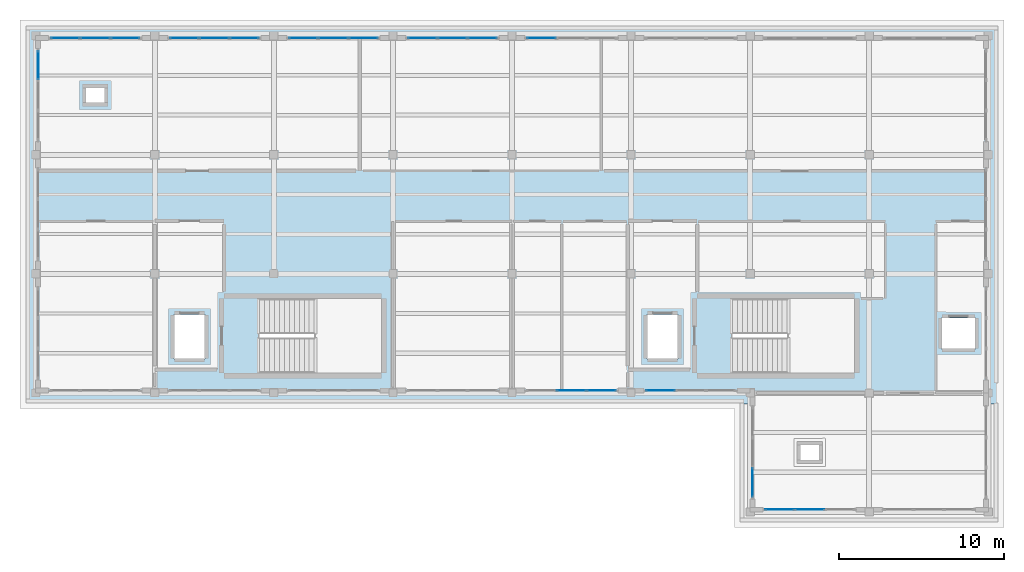
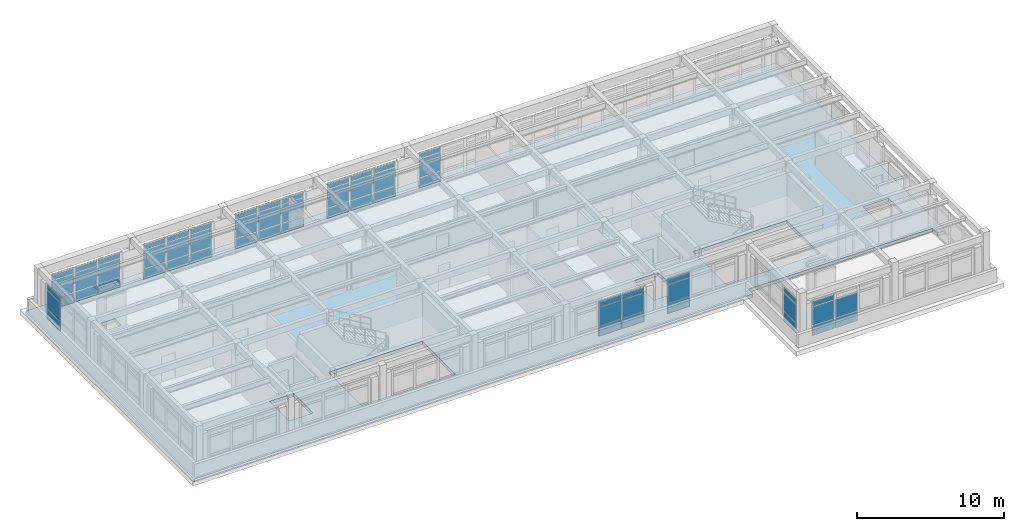
# One storey, part 11 of 18: 59 plates, 1 slab, 10 elements without a shape of their own.
"""IFC4 building model written with IfcOpenShell, lengths in metres."""

from ifc_helpers import new_model, si_unit, direction, frame, origin, origin_2d, place, context, subcontext, project, spatial, polyline, rectangle, outline, extrude, material, layer, layer_set, type_object, element, aggregate, save


model = new_model("IFC4")

# Units and contexts
model_context = context("Model", 3, precision=1e-05, world=origin(), true_north=direction((0.0, 1.0)))
body_context = subcontext(model_context, "Body", "Model", "MODEL_VIEW")
ifc_project = project(units=[si_unit("LENGTHUNIT", "METRE"), si_unit("AREAUNIT", "SQUARE_METRE"), si_unit("VOLUMEUNIT", "CUBIC_METRE"), si_unit("PLANEANGLEUNIT", "RADIAN"), si_unit("MASSUNIT", "GRAM", prefix="KILO")], contexts=[model_context])

# Site, building, storey
site_placement = place(None, origin())
site = spatial("IfcSite", under=ifc_project, at=site_placement, CompositionType="ELEMENT")
building_placement = place(site_placement, origin())
building = spatial("IfcBuilding", under=site, at=building_placement, Name="Solenvale Faculty of Natural Sciences", CompositionType="ELEMENT")
storey_placement = place(building_placement, frame((0.0, 0.0, 43.800048828125)))
storey = spatial("IfcBuildingStorey", under=building, at=storey_placement, Name="L10", CompositionType="ELEMENT", Elevation=43.800048828125)

# Curtain wall, plates
ifc_material_1 = material(Name="Anodised bronze aluminium", Category="aluminium")
ifc_layer_1 = layer(ifc_material_1, 0.179931640625)
ifc_layer_set_1 = layer_set([ifc_layer_1], Name="Anodised bronze aluminium")
curtain_wall_type = type_object("IfcCurtainWallType", Name="CW-TWR-MOD", PredefinedType="USERDEFINED", material=ifc_layer_set_1)
curtain_wall_1_placement = place(storey_placement, origin())
curtain_wall_1 = element("IfcCurtainWall", 1, at=curtain_wall_1_placement, inside=storey, type_object=curtain_wall_type, Name="L10 Curtain Wall CW-L10-P1-E2-B4", ObjectType="UNITISED CURTAIN WALL", PredefinedType="USERDEFINED")
ifc_material_2 = material(Name="Triple low-E insulated glass", Category="glass")
ifc_layer_2 = layer(ifc_material_2, 0.031982421875)
ifc_layer_set_2 = layer_set([ifc_layer_2], Name="Triple low-E insulated glass")
plate_type_1 = type_object("IfcPlateType", Name="CWP-PNL-32", PredefinedType="CURTAIN_PANEL", material=ifc_layer_set_2)
plate_1_placement = place(storey_placement, frame((124.185302734375, 115.0576171875, 0.074951171875), z_axis=(0.0, 0.0, 1.0), x_axis=(-1.0, 0.0, 0.0)))
plate_1 = element("IfcPlate", 2, at=plate_1_placement, type_object=plate_type_1, Name="CW-04 panel 3.1", PredefinedType="CURTAIN_PANEL", context=body_context, shape_type="SweptSolid", body=[
    extrude(rectangle(XDim=1.720947265625, YDim=0.031982421875, at=origin_2d()), origin(), (0.0, 0.0, 1.0), 0.78759765625),
])
plate_2_placement = place(storey_placement, frame((124.185302734375, 115.0576171875, 0.9375), z_axis=(0.0, 0.0, 1.0), x_axis=(-1.0, 0.0, 0.0)))
plate_2 = element("IfcPlate", 3, at=plate_2_placement, type_object=plate_type_1, Name="CW-04 panel 3.2", PredefinedType="CURTAIN_PANEL", context=body_context, shape_type="SweptSolid", body=[
    extrude(rectangle(XDim=1.720947265625, YDim=0.031982421875, at=origin_2d()), origin(), (0.0, 0.0, 1.0), 1.485107421875),
])
plate_3_placement = place(storey_placement, frame((124.185302734375, 115.0576171875, 2.49755859375), z_axis=(0.0, 0.0, 1.0), x_axis=(-1.0, 0.0, 0.0)))
plate_3 = element("IfcPlate", 4, at=plate_3_placement, type_object=plate_type_1, Name="CW-04 panel 3.3", PredefinedType="CURTAIN_PANEL", context=body_context, shape_type="SweptSolid", body=[
    extrude(rectangle(XDim=1.720947265625, YDim=0.031982421875, at=origin_2d()), origin(), (0.0, 0.0, 1.0), 0.387451171875),
])
aggregate(curtain_wall_1, [plate_1, plate_2, plate_3])

curtain_wall_2_placement = place(storey_placement, origin())
curtain_wall_2 = element("IfcCurtainWall", 5, at=curtain_wall_2_placement, inside=storey, type_object=curtain_wall_type, Name="L10 Curtain Wall CW-L10-P1-E5-B1", ObjectType="UNITISED CURTAIN WALL", PredefinedType="USERDEFINED")
plate_4_placement = place(storey_placement, frame((136.9423828125, 88.185302734375, 0.074951171875), z_axis=(0.0, 0.0, 1.0), x_axis=(0.0, -1.0, 0.0)))
plate_4 = element("IfcPlate", 6, at=plate_4_placement, type_object=plate_type_1, Name="CW-04 panel 3.1", PredefinedType="CURTAIN_PANEL", context=body_context, shape_type="SweptSolid", body=[
    extrude(rectangle(XDim=1.720947265625, YDim=0.031982421875, at=origin_2d()), origin(), (0.0, 0.0, 1.0), 0.78759765625),
])
plate_5_placement = place(storey_placement, frame((136.9423828125, 88.185302734375, 0.9375), z_axis=(0.0, 0.0, 1.0), x_axis=(0.0, -1.0, 0.0)))
plate_5 = element("IfcPlate", 7, at=plate_5_placement, type_object=plate_type_1, Name="CW-04 panel 3.2", PredefinedType="CURTAIN_PANEL", context=body_context, shape_type="SweptSolid", body=[
    extrude(rectangle(XDim=1.720947265625, YDim=0.031982421875, at=origin_2d()), origin(), (0.0, 0.0, 1.0), 1.485107421875),
])
plate_6_placement = place(storey_placement, frame((136.9423828125, 88.185302734375, 2.49755859375), z_axis=(0.0, 0.0, 1.0), x_axis=(0.0, -1.0, 0.0)))
plate_6 = element("IfcPlate", 8, at=plate_6_placement, type_object=plate_type_1, Name="CW-04 panel 3.3", PredefinedType="CURTAIN_PANEL", context=body_context, shape_type="SweptSolid", body=[
    extrude(rectangle(XDim=1.720947265625, YDim=0.031982421875, at=origin_2d()), origin(), (0.0, 0.0, 1.0), 0.387451171875),
])
aggregate(curtain_wall_2, [plate_4, plate_5, plate_6])

curtain_wall_3_placement = place(storey_placement, origin())
curtain_wall_3 = element("IfcCurtainWall", 9, at=curtain_wall_3_placement, inside=storey, type_object=curtain_wall_type, Name="L10 Curtain Wall CW-L10-P1-E2-B5", ObjectType="UNITISED CURTAIN WALL", PredefinedType="USERDEFINED")
ifc_layer_3 = layer(ifc_material_2, 0.035888671875)
ifc_layer_set_3 = layer_set([ifc_layer_3], Name="Triple low-E insulated glass")
plate_type_2 = type_object("IfcPlateType", Name="CWP-PNL-36", PredefinedType="CURTAIN_PANEL", material=ifc_layer_set_3)
plate_7_placement = place(storey_placement, frame((120.614501953125, 115.0576171875, 0.074951171875), z_axis=(0.0, 0.0, 1.0), x_axis=(-1.0, 0.0, 0.0)))
plate_7 = element("IfcPlate", 10, at=plate_7_placement, type_object=plate_type_2, Name="CW-04 panel 1.1", PredefinedType="CURTAIN_PANEL", context=body_context, shape_type="SweptSolid", body=[
    extrude(rectangle(XDim=1.720947265625, YDim=0.035888671875, at=origin_2d()), origin(), (0.0, 0.0, 1.0), 0.78759765625),
])
plate_8_placement = place(storey_placement, frame((120.614501953125, 115.0576171875, 0.9375), z_axis=(0.0, 0.0, 1.0), x_axis=(-1.0, 0.0, 0.0)))
plate_8 = element("IfcPlate", 11, at=plate_8_placement, type_object=plate_type_2, Name="CW-04 panel 1.2", PredefinedType="CURTAIN_PANEL", context=body_context, shape_type="SweptSolid", body=[
    extrude(rectangle(XDim=1.720947265625, YDim=0.035888671875, at=origin_2d()), origin(), (0.0, 0.0, 1.0), 1.485107421875),
])
plate_9_placement = place(storey_placement, frame((120.614501953125, 115.0576171875, 2.49755859375), z_axis=(0.0, 0.0, 1.0), x_axis=(-1.0, 0.0, 0.0)))
plate_9 = element("IfcPlate", 12, at=plate_9_placement, type_object=plate_type_2, Name="CW-04 panel 1.3", PredefinedType="CURTAIN_PANEL", context=body_context, shape_type="SweptSolid", body=[
    extrude(rectangle(XDim=1.720947265625, YDim=0.035888671875, at=origin_2d()), origin(), (0.0, 0.0, 1.0), 0.387451171875),
])
plate_10_placement = place(storey_placement, frame((118.800048828125, 115.0576171875, 0.074951171875), z_axis=(0.0, 0.0, 1.0), x_axis=(-1.0, 0.0, 0.0)))
plate_10 = element("IfcPlate", 13, at=plate_10_placement, type_object=plate_type_2, Name="CW-04 panel 2.1", PredefinedType="CURTAIN_PANEL", context=body_context, shape_type="SweptSolid", body=[
    extrude(rectangle(XDim=1.75830078125, YDim=0.035888671875, at=origin_2d()), origin(), (0.0, 0.0, 1.0), 0.78759765625),
])
plate_11_placement = place(storey_placement, frame((118.800048828125, 115.0576171875, 0.9375), z_axis=(0.0, 0.0, 1.0), x_axis=(-1.0, 0.0, 0.0)))
plate_11 = element("IfcPlate", 14, at=plate_11_placement, type_object=plate_type_2, Name="CW-04 panel 2.2", PredefinedType="CURTAIN_PANEL", context=body_context, shape_type="SweptSolid", body=[
    extrude(rectangle(XDim=1.75830078125, YDim=0.035888671875, at=origin_2d()), origin(), (0.0, 0.0, 1.0), 1.485107421875),
])
plate_12_placement = place(storey_placement, frame((118.800048828125, 115.0576171875, 2.49755859375), z_axis=(0.0, 0.0, 1.0), x_axis=(-1.0, 0.0, 0.0)))
plate_12 = element("IfcPlate", 15, at=plate_12_placement, type_object=plate_type_2, Name="CW-04 panel 2.3", PredefinedType="CURTAIN_PANEL", context=body_context, shape_type="SweptSolid", body=[
    extrude(rectangle(XDim=1.75830078125, YDim=0.035888671875, at=origin_2d()), origin(), (0.0, 0.0, 1.0), 0.387451171875),
])
plate_13_placement = place(storey_placement, frame((116.9853515625, 115.0576171875, 0.074951171875), z_axis=(0.0, 0.0, 1.0), x_axis=(-1.0, 0.0, 0.0)))
plate_13 = element("IfcPlate", 16, at=plate_13_placement, type_object=plate_type_2, Name="CW-04 panel 3.1", PredefinedType="CURTAIN_PANEL", context=body_context, shape_type="SweptSolid", body=[
    extrude(rectangle(XDim=1.720947265625, YDim=0.035888671875, at=origin_2d()), origin(), (0.0, 0.0, 1.0), 0.78759765625),
])
plate_14_placement = place(storey_placement, frame((116.9853515625, 115.0576171875, 0.9375), z_axis=(0.0, 0.0, 1.0), x_axis=(-1.0, 0.0, 0.0)))
plate_14 = element("IfcPlate", 17, at=plate_14_placement, type_object=plate_type_2, Name="CW-04 panel 3.2", PredefinedType="CURTAIN_PANEL", context=body_context, shape_type="SweptSolid", body=[
    extrude(rectangle(XDim=1.720947265625, YDim=0.035888671875, at=origin_2d()), origin(), (0.0, 0.0, 1.0), 1.485107421875),
])
plate_15_placement = place(storey_placement, frame((116.9853515625, 115.0576171875, 2.49755859375), z_axis=(0.0, 0.0, 1.0), x_axis=(-1.0, 0.0, 0.0)))
plate_15 = element("IfcPlate", 18, at=plate_15_placement, type_object=plate_type_2, Name="CW-04 panel 3.3", PredefinedType="CURTAIN_PANEL", context=body_context, shape_type="SweptSolid", body=[
    extrude(rectangle(XDim=1.720947265625, YDim=0.035888671875, at=origin_2d()), origin(), (0.0, 0.0, 1.0), 0.387451171875),
])
aggregate(curtain_wall_3, [plate_7, plate_8, plate_9, plate_10, plate_11, plate_12, plate_13, plate_14, plate_15])

curtain_wall_4_placement = place(storey_placement, origin())
curtain_wall_4 = element("IfcCurtainWall", 19, at=curtain_wall_4_placement, inside=storey, type_object=curtain_wall_type, Name="L10 Curtain Wall CW-L10-P1-E6-B1", ObjectType="UNITISED CURTAIN WALL", PredefinedType="USERDEFINED")
plate_16_placement = place(storey_placement, frame((138.58544921875, 86.54248046875, 0.074951171875), z_axis=(0.0, 0.0, 1.0), x_axis=(1.0, 0.0, 0.0)))
plate_16 = element("IfcPlate", 20, at=plate_16_placement, type_object=plate_type_2, Name="CW-04 panel 1.1", PredefinedType="CURTAIN_PANEL", context=body_context, shape_type="SweptSolid", body=[
    extrude(rectangle(XDim=1.720947265625, YDim=0.035888671875, at=origin_2d()), origin(), (0.0, 0.0, 1.0), 0.78759765625),
])
plate_17_placement = place(storey_placement, frame((138.58544921875, 86.54248046875, 0.9375), z_axis=(0.0, 0.0, 1.0), x_axis=(1.0, 0.0, 0.0)))
plate_17 = element("IfcPlate", 21, at=plate_17_placement, type_object=plate_type_2, Name="CW-04 panel 1.2", PredefinedType="CURTAIN_PANEL", context=body_context, shape_type="SweptSolid", body=[
    extrude(rectangle(XDim=1.720947265625, YDim=0.035888671875, at=origin_2d()), origin(), (0.0, 0.0, 1.0), 1.485107421875),
])
plate_18_placement = place(storey_placement, frame((138.58544921875, 86.54248046875, 2.49755859375), z_axis=(0.0, 0.0, 1.0), x_axis=(1.0, 0.0, 0.0)))
plate_18 = element("IfcPlate", 22, at=plate_18_placement, type_object=plate_type_2, Name="CW-04 panel 1.3", PredefinedType="CURTAIN_PANEL", context=body_context, shape_type="SweptSolid", body=[
    extrude(rectangle(XDim=1.720947265625, YDim=0.035888671875, at=origin_2d()), origin(), (0.0, 0.0, 1.0), 0.387451171875),
])
plate_19_placement = place(storey_placement, frame((140.39990234375, 86.54248046875, 0.074951171875), z_axis=(0.0, 0.0, 1.0), x_axis=(1.0, 0.0, 0.0)))
plate_19 = element("IfcPlate", 23, at=plate_19_placement, type_object=plate_type_2, Name="CW-04 panel 2.1", PredefinedType="CURTAIN_PANEL", context=body_context, shape_type="SweptSolid", body=[
    extrude(rectangle(XDim=1.75830078125, YDim=0.035888671875, at=origin_2d()), origin(), (0.0, 0.0, 1.0), 0.78759765625),
])
plate_20_placement = place(storey_placement, frame((140.39990234375, 86.54248046875, 0.9375), z_axis=(0.0, 0.0, 1.0), x_axis=(1.0, 0.0, 0.0)))
plate_20 = element("IfcPlate", 24, at=plate_20_placement, type_object=plate_type_2, Name="CW-04 panel 2.2", PredefinedType="CURTAIN_PANEL", context=body_context, shape_type="SweptSolid", body=[
    extrude(rectangle(XDim=1.75830078125, YDim=0.035888671875, at=origin_2d()), origin(), (0.0, 0.0, 1.0), 1.485107421875),
])
aggregate(curtain_wall_4, [plate_16, plate_17, plate_18, plate_19, plate_20])

curtain_wall_5_placement = place(storey_placement, origin())
curtain_wall_5 = element("IfcCurtainWall", 25, at=curtain_wall_5_placement, inside=storey, type_object=curtain_wall_type, Name="L10 Curtain Wall CW-L10-P1-E2-B6", ObjectType="UNITISED CURTAIN WALL", PredefinedType="USERDEFINED")
ifc_layer_4 = layer(ifc_material_2, 0.0400390625)
ifc_layer_set_4 = layer_set([ifc_layer_4], Name="Triple low-E insulated glass")
plate_type_3 = type_object("IfcPlateType", Name="CWP-PNL-40", PredefinedType="CURTAIN_PANEL", material=ifc_layer_set_4)
plate_21_placement = place(storey_placement, frame((113.41455078125, 115.0576171875, 0.074951171875), z_axis=(0.0, 0.0, 1.0), x_axis=(-1.0, 0.0, 0.0)))
plate_21 = element("IfcPlate", 26, at=plate_21_placement, type_object=plate_type_3, Name="CW-04 panel 1.1", PredefinedType="CURTAIN_PANEL", context=body_context, shape_type="SweptSolid", body=[
    extrude(rectangle(XDim=1.720947265625, YDim=0.0400390625, at=origin_2d()), origin(), (0.0, 0.0, 1.0), 0.78759765625),
])
plate_22_placement = place(storey_placement, frame((113.41455078125, 115.0576171875, 0.9375), z_axis=(0.0, 0.0, 1.0), x_axis=(-1.0, 0.0, 0.0)))
plate_22 = element("IfcPlate", 27, at=plate_22_placement, type_object=plate_type_3, Name="CW-04 panel 1.2", PredefinedType="CURTAIN_PANEL", context=body_context, shape_type="SweptSolid", body=[
    extrude(rectangle(XDim=1.720947265625, YDim=0.0400390625, at=origin_2d()), origin(), (0.0, 0.0, 1.0), 1.485107421875),
])
plate_23_placement = place(storey_placement, frame((113.41455078125, 115.0576171875, 2.49755859375), z_axis=(0.0, 0.0, 1.0), x_axis=(-1.0, 0.0, 0.0)))
plate_23 = element("IfcPlate", 28, at=plate_23_placement, type_object=plate_type_3, Name="CW-04 panel 1.3", PredefinedType="CURTAIN_PANEL", context=body_context, shape_type="SweptSolid", body=[
    extrude(rectangle(XDim=1.720947265625, YDim=0.0400390625, at=origin_2d()), origin(), (0.0, 0.0, 1.0), 0.387451171875),
])
plate_24_placement = place(storey_placement, frame((111.60009765625, 115.0576171875, 0.074951171875), z_axis=(0.0, 0.0, 1.0), x_axis=(-1.0, 0.0, 0.0)))
plate_24 = element("IfcPlate", 29, at=plate_24_placement, type_object=plate_type_3, Name="CW-04 panel 2.1", PredefinedType="CURTAIN_PANEL", context=body_context, shape_type="SweptSolid", body=[
    extrude(rectangle(XDim=1.75830078125, YDim=0.0400390625, at=origin_2d()), origin(), (0.0, 0.0, 1.0), 0.78759765625),
])
plate_25_placement = place(storey_placement, frame((111.60009765625, 115.0576171875, 0.9375), z_axis=(0.0, 0.0, 1.0), x_axis=(-1.0, 0.0, 0.0)))
plate_25 = element("IfcPlate", 30, at=plate_25_placement, type_object=plate_type_3, Name="CW-04 panel 2.2", PredefinedType="CURTAIN_PANEL", context=body_context, shape_type="SweptSolid", body=[
    extrude(rectangle(XDim=1.75830078125, YDim=0.0400390625, at=origin_2d()), origin(), (0.0, 0.0, 1.0), 1.485107421875),
])
plate_26_placement = place(storey_placement, frame((111.60009765625, 115.0576171875, 2.49755859375), z_axis=(0.0, 0.0, 1.0), x_axis=(-1.0, 0.0, 0.0)))
plate_26 = element("IfcPlate", 31, at=plate_26_placement, type_object=plate_type_3, Name="CW-04 panel 2.3", PredefinedType="CURTAIN_PANEL", context=body_context, shape_type="SweptSolid", body=[
    extrude(rectangle(XDim=1.75830078125, YDim=0.0400390625, at=origin_2d()), origin(), (0.0, 0.0, 1.0), 0.387451171875),
])
plate_27_placement = place(storey_placement, frame((109.785400390625, 115.0576171875, 0.074951171875), z_axis=(0.0, 0.0, 1.0), x_axis=(-1.0, 0.0, 0.0)))
plate_27 = element("IfcPlate", 32, at=plate_27_placement, type_object=plate_type_3, Name="CW-04 panel 3.1", PredefinedType="CURTAIN_PANEL", context=body_context, shape_type="SweptSolid", body=[
    extrude(rectangle(XDim=1.720947265625, YDim=0.0400390625, at=origin_2d()), origin(), (0.0, 0.0, 1.0), 0.78759765625),
])
plate_28_placement = place(storey_placement, frame((109.785400390625, 115.0576171875, 0.9375), z_axis=(0.0, 0.0, 1.0), x_axis=(-1.0, 0.0, 0.0)))
plate_28 = element("IfcPlate", 33, at=plate_28_placement, type_object=plate_type_3, Name="CW-04 panel 3.2", PredefinedType="CURTAIN_PANEL", context=body_context, shape_type="SweptSolid", body=[
    extrude(rectangle(XDim=1.720947265625, YDim=0.0400390625, at=origin_2d()), origin(), (0.0, 0.0, 1.0), 1.485107421875),
])
plate_29_placement = place(storey_placement, frame((109.785400390625, 115.0576171875, 2.49755859375), z_axis=(0.0, 0.0, 1.0), x_axis=(-1.0, 0.0, 0.0)))
plate_29 = element("IfcPlate", 34, at=plate_29_placement, type_object=plate_type_3, Name="CW-04 panel 3.3", PredefinedType="CURTAIN_PANEL", context=body_context, shape_type="SweptSolid", body=[
    extrude(rectangle(XDim=1.720947265625, YDim=0.0400390625, at=origin_2d()), origin(), (0.0, 0.0, 1.0), 0.387451171875),
])
aggregate(curtain_wall_5, [plate_21, plate_22, plate_23, plate_24, plate_25, plate_26, plate_27, plate_28, plate_29])

curtain_wall_6_placement = place(storey_placement, origin())
curtain_wall_6 = element("IfcCurtainWall", 35, at=curtain_wall_6_placement, inside=storey, type_object=curtain_wall_type, Name="L10 Curtain Wall CW-L10-P1-E2-B7", ObjectType="UNITISED CURTAIN WALL", PredefinedType="USERDEFINED")
ifc_layer_5 = layer(ifc_material_2, 0.0439453125)
ifc_layer_set_5 = layer_set([ifc_layer_5], Name="Triple low-E insulated glass")
plate_type_4 = type_object("IfcPlateType", Name="CWP-PNL-44", PredefinedType="CURTAIN_PANEL", material=ifc_layer_set_5)
plate_30_placement = place(storey_placement, frame((106.214599609375, 115.0576171875, 0.074951171875), z_axis=(0.0, 0.0, 1.0), x_axis=(-1.0, 0.0, 0.0)))
plate_30 = element("IfcPlate", 36, at=plate_30_placement, type_object=plate_type_4, Name="CW-04 panel 1.1", PredefinedType="CURTAIN_PANEL", context=body_context, shape_type="SweptSolid", body=[
    extrude(rectangle(XDim=1.720947265625, YDim=0.0439453125, at=origin_2d()), origin(), (0.0, 0.0, 1.0), 0.78759765625),
])
plate_31_placement = place(storey_placement, frame((106.214599609375, 115.0576171875, 0.9375), z_axis=(0.0, 0.0, 1.0), x_axis=(-1.0, 0.0, 0.0)))
plate_31 = element("IfcPlate", 37, at=plate_31_placement, type_object=plate_type_4, Name="CW-04 panel 1.2", PredefinedType="CURTAIN_PANEL", context=body_context, shape_type="SweptSolid", body=[
    extrude(rectangle(XDim=1.720947265625, YDim=0.0439453125, at=origin_2d()), origin(), (0.0, 0.0, 1.0), 1.485107421875),
])
plate_32_placement = place(storey_placement, frame((106.214599609375, 115.0576171875, 2.49755859375), z_axis=(0.0, 0.0, 1.0), x_axis=(-1.0, 0.0, 0.0)))
plate_32 = element("IfcPlate", 38, at=plate_32_placement, type_object=plate_type_4, Name="CW-04 panel 1.3", PredefinedType="CURTAIN_PANEL", context=body_context, shape_type="SweptSolid", body=[
    extrude(rectangle(XDim=1.720947265625, YDim=0.0439453125, at=origin_2d()), origin(), (0.0, 0.0, 1.0), 0.387451171875),
])
plate_33_placement = place(storey_placement, frame((104.39990234375, 115.0576171875, 0.074951171875), z_axis=(0.0, 0.0, 1.0), x_axis=(-1.0, 0.0, 0.0)))
plate_33 = element("IfcPlate", 39, at=plate_33_placement, type_object=plate_type_4, Name="CW-04 panel 2.1", PredefinedType="CURTAIN_PANEL", context=body_context, shape_type="SweptSolid", body=[
    extrude(rectangle(XDim=1.75830078125, YDim=0.0439453125, at=origin_2d()), origin(), (0.0, 0.0, 1.0), 0.78759765625),
])
plate_34_placement = place(storey_placement, frame((104.39990234375, 115.0576171875, 0.9375), z_axis=(0.0, 0.0, 1.0), x_axis=(-1.0, 0.0, 0.0)))
plate_34 = element("IfcPlate", 40, at=plate_34_placement, type_object=plate_type_4, Name="CW-04 panel 2.2", PredefinedType="CURTAIN_PANEL", context=body_context, shape_type="SweptSolid", body=[
    extrude(rectangle(XDim=1.75830078125, YDim=0.0439453125, at=origin_2d()), origin(), (0.0, 0.0, 1.0), 1.485107421875),
])
plate_35_placement = place(storey_placement, frame((104.39990234375, 115.0576171875, 2.49755859375), z_axis=(0.0, 0.0, 1.0), x_axis=(-1.0, 0.0, 0.0)))
plate_35 = element("IfcPlate", 41, at=plate_35_placement, type_object=plate_type_4, Name="CW-04 panel 2.3", PredefinedType="CURTAIN_PANEL", context=body_context, shape_type="SweptSolid", body=[
    extrude(rectangle(XDim=1.75830078125, YDim=0.0439453125, at=origin_2d()), origin(), (0.0, 0.0, 1.0), 0.387451171875),
])
plate_36_placement = place(storey_placement, frame((102.58544921875, 115.0576171875, 0.074951171875), z_axis=(0.0, 0.0, 1.0), x_axis=(-1.0, 0.0, 0.0)))
plate_36 = element("IfcPlate", 42, at=plate_36_placement, type_object=plate_type_4, Name="CW-04 panel 3.1", PredefinedType="CURTAIN_PANEL", context=body_context, shape_type="SweptSolid", body=[
    extrude(rectangle(XDim=1.720947265625, YDim=0.0439453125, at=origin_2d()), origin(), (0.0, 0.0, 1.0), 0.78759765625),
])
plate_37_placement = place(storey_placement, frame((102.58544921875, 115.0576171875, 0.9375), z_axis=(0.0, 0.0, 1.0), x_axis=(-1.0, 0.0, 0.0)))
plate_37 = element("IfcPlate", 43, at=plate_37_placement, type_object=plate_type_4, Name="CW-04 panel 3.2", PredefinedType="CURTAIN_PANEL", context=body_context, shape_type="SweptSolid", body=[
    extrude(rectangle(XDim=1.720947265625, YDim=0.0439453125, at=origin_2d()), origin(), (0.0, 0.0, 1.0), 1.485107421875),
])
plate_38_placement = place(storey_placement, frame((102.58544921875, 115.0576171875, 2.49755859375), z_axis=(0.0, 0.0, 1.0), x_axis=(-1.0, 0.0, 0.0)))
plate_38 = element("IfcPlate", 44, at=plate_38_placement, type_object=plate_type_4, Name="CW-04 panel 3.3", PredefinedType="CURTAIN_PANEL", context=body_context, shape_type="SweptSolid", body=[
    extrude(rectangle(XDim=1.720947265625, YDim=0.0439453125, at=origin_2d()), origin(), (0.0, 0.0, 1.0), 0.387451171875),
])
aggregate(curtain_wall_6, [plate_30, plate_31, plate_32, plate_33, plate_34, plate_35, plate_36, plate_37, plate_38])

curtain_wall_7_placement = place(storey_placement, origin())
curtain_wall_7 = element("IfcCurtainWall", 45, at=curtain_wall_7_placement, inside=storey, type_object=curtain_wall_type, Name="L10 Curtain Wall CW-L10-P1-E4-B5", ObjectType="UNITISED CURTAIN WALL", PredefinedType="USERDEFINED")
plate_39_placement = place(storey_placement, frame((126.0, 93.742431640625, 0.074951171875), z_axis=(0.0, 0.0, 1.0), x_axis=(1.0, 0.0, 0.0)))
plate_39 = element("IfcPlate", 46, at=plate_39_placement, type_object=plate_type_4, Name="CW-04 panel 2.1", PredefinedType="CURTAIN_PANEL", context=body_context, shape_type="SweptSolid", body=[
    extrude(rectangle(XDim=1.75830078125, YDim=0.0439453125, at=origin_2d()), origin(), (0.0, 0.0, 1.0), 0.78759765625),
])
plate_40_placement = place(storey_placement, frame((126.0, 93.742431640625, 0.9375), z_axis=(0.0, 0.0, 1.0), x_axis=(1.0, 0.0, 0.0)))
plate_40 = element("IfcPlate", 47, at=plate_40_placement, type_object=plate_type_4, Name="CW-04 panel 2.2", PredefinedType="CURTAIN_PANEL", context=body_context, shape_type="SweptSolid", body=[
    extrude(rectangle(XDim=1.75830078125, YDim=0.0439453125, at=origin_2d()), origin(), (0.0, 0.0, 1.0), 1.485107421875),
])
plate_41_placement = place(storey_placement, frame((126.0, 93.742431640625, 2.49755859375), z_axis=(0.0, 0.0, 1.0), x_axis=(1.0, 0.0, 0.0)))
plate_41 = element("IfcPlate", 48, at=plate_41_placement, type_object=plate_type_4, Name="CW-04 panel 2.3", PredefinedType="CURTAIN_PANEL", context=body_context, shape_type="SweptSolid", body=[
    extrude(rectangle(XDim=1.75830078125, YDim=0.0439453125, at=origin_2d()), origin(), (0.0, 0.0, 1.0), 0.387451171875),
])
plate_42_placement = place(storey_placement, frame((127.814697265625, 93.742431640625, 0.074951171875), z_axis=(0.0, 0.0, 1.0), x_axis=(1.0, 0.0, 0.0)))
plate_42 = element("IfcPlate", 49, at=plate_42_placement, type_object=plate_type_4, Name="CW-04 panel 3.1", PredefinedType="CURTAIN_PANEL", context=body_context, shape_type="SweptSolid", body=[
    extrude(rectangle(XDim=1.720947265625, YDim=0.0439453125, at=origin_2d()), origin(), (0.0, 0.0, 1.0), 0.78759765625),
])
plate_43_placement = place(storey_placement, frame((127.814697265625, 93.742431640625, 0.9375), z_axis=(0.0, 0.0, 1.0), x_axis=(1.0, 0.0, 0.0)))
plate_43 = element("IfcPlate", 50, at=plate_43_placement, type_object=plate_type_4, Name="CW-04 panel 3.2", PredefinedType="CURTAIN_PANEL", context=body_context, shape_type="SweptSolid", body=[
    extrude(rectangle(XDim=1.720947265625, YDim=0.0439453125, at=origin_2d()), origin(), (0.0, 0.0, 1.0), 1.485107421875),
])
plate_44_placement = place(storey_placement, frame((127.814697265625, 93.742431640625, 2.49755859375), z_axis=(0.0, 0.0, 1.0), x_axis=(1.0, 0.0, 0.0)))
plate_44 = element("IfcPlate", 51, at=plate_44_placement, type_object=plate_type_4, Name="CW-04 panel 3.3", PredefinedType="CURTAIN_PANEL", context=body_context, shape_type="SweptSolid", body=[
    extrude(rectangle(XDim=1.720947265625, YDim=0.0439453125, at=origin_2d()), origin(), (0.0, 0.0, 1.0), 0.387451171875),
])
aggregate(curtain_wall_7, [plate_39, plate_40, plate_41, plate_42, plate_43, plate_44])

curtain_wall_8_placement = place(storey_placement, origin())
curtain_wall_8 = element("IfcCurtainWall", 52, at=curtain_wall_8_placement, inside=storey, type_object=curtain_wall_type, Name="L10 Curtain Wall CW-L10-P1-E2-B8", ObjectType="UNITISED CURTAIN WALL", PredefinedType="USERDEFINED")
ifc_layer_6 = layer(ifc_material_1, 0.048095703125)
ifc_layer_set_6 = layer_set([ifc_layer_6], Name="Anodised bronze aluminium")
plate_type_5 = type_object("IfcPlateType", Name="CWP-PNL-48", PredefinedType="CURTAIN_PANEL", material=ifc_layer_set_6)
plate_45_placement = place(storey_placement, frame((99.0146484375, 115.0576171875, 0.074951171875), z_axis=(0.0, 0.0, 1.0), x_axis=(-1.0, 0.0, 0.0)))
plate_45 = element("IfcPlate", 53, at=plate_45_placement, type_object=plate_type_5, Name="CW-04 panel 1.1", PredefinedType="CURTAIN_PANEL", context=body_context, shape_type="SweptSolid", body=[
    extrude(rectangle(XDim=1.720947265625, YDim=0.048095703125, at=origin_2d()), origin(), (0.0, 0.0, 1.0), 0.78759765625),
])
plate_46_placement = place(storey_placement, frame((99.0146484375, 115.0576171875, 0.9375), z_axis=(0.0, 0.0, 1.0), x_axis=(-1.0, 0.0, 0.0)))
plate_46 = element("IfcPlate", 54, at=plate_46_placement, type_object=plate_type_5, Name="CW-04 panel 1.2", PredefinedType="CURTAIN_PANEL", context=body_context, shape_type="SweptSolid", body=[
    extrude(rectangle(XDim=1.720947265625, YDim=0.048095703125, at=origin_2d()), origin(), (0.0, 0.0, 1.0), 1.485107421875),
])
plate_47_placement = place(storey_placement, frame((99.0146484375, 115.0576171875, 2.49755859375), z_axis=(0.0, 0.0, 1.0), x_axis=(-1.0, 0.0, 0.0)))
plate_47 = element("IfcPlate", 55, at=plate_47_placement, type_object=plate_type_5, Name="CW-04 panel 1.3", PredefinedType="CURTAIN_PANEL", context=body_context, shape_type="SweptSolid", body=[
    extrude(rectangle(XDim=1.720947265625, YDim=0.048095703125, at=origin_2d()), origin(), (0.0, 0.0, 1.0), 0.387451171875),
])
plate_48_placement = place(storey_placement, frame((97.199951171875, 115.0576171875, 0.074951171875), z_axis=(0.0, 0.0, 1.0), x_axis=(-1.0, 0.0, 0.0)))
plate_48 = element("IfcPlate", 56, at=plate_48_placement, type_object=plate_type_5, Name="CW-04 panel 2.1", PredefinedType="CURTAIN_PANEL", context=body_context, shape_type="SweptSolid", body=[
    extrude(rectangle(XDim=1.75830078125, YDim=0.048095703125, at=origin_2d()), origin(), (0.0, 0.0, 1.0), 0.78759765625),
])
plate_49_placement = place(storey_placement, frame((97.199951171875, 115.0576171875, 0.9375), z_axis=(0.0, 0.0, 1.0), x_axis=(-1.0, 0.0, 0.0)))
plate_49 = element("IfcPlate", 57, at=plate_49_placement, type_object=plate_type_5, Name="CW-04 panel 2.2", PredefinedType="CURTAIN_PANEL", context=body_context, shape_type="SweptSolid", body=[
    extrude(rectangle(XDim=1.75830078125, YDim=0.048095703125, at=origin_2d()), origin(), (0.0, 0.0, 1.0), 1.485107421875),
])
plate_50_placement = place(storey_placement, frame((97.199951171875, 115.0576171875, 2.49755859375), z_axis=(0.0, 0.0, 1.0), x_axis=(-1.0, 0.0, 0.0)))
plate_50 = element("IfcPlate", 58, at=plate_50_placement, type_object=plate_type_5, Name="CW-04 panel 2.3", PredefinedType="CURTAIN_PANEL", context=body_context, shape_type="SweptSolid", body=[
    extrude(rectangle(XDim=1.75830078125, YDim=0.048095703125, at=origin_2d()), origin(), (0.0, 0.0, 1.0), 0.387451171875),
])
plate_51_placement = place(storey_placement, frame((95.385498046875, 115.0576171875, 0.074951171875), z_axis=(0.0, 0.0, 1.0), x_axis=(-1.0, 0.0, 0.0)))
plate_51 = element("IfcPlate", 59, at=plate_51_placement, type_object=plate_type_5, Name="CW-04 panel 3.1", PredefinedType="CURTAIN_PANEL", context=body_context, shape_type="SweptSolid", body=[
    extrude(rectangle(XDim=1.720947265625, YDim=0.048095703125, at=origin_2d()), origin(), (0.0, 0.0, 1.0), 0.78759765625),
])
plate_52_placement = place(storey_placement, frame((95.385498046875, 115.0576171875, 0.9375), z_axis=(0.0, 0.0, 1.0), x_axis=(-1.0, 0.0, 0.0)))
plate_52 = element("IfcPlate", 60, at=plate_52_placement, type_object=plate_type_5, Name="CW-04 panel 3.2", PredefinedType="CURTAIN_PANEL", context=body_context, shape_type="SweptSolid", body=[
    extrude(rectangle(XDim=1.720947265625, YDim=0.048095703125, at=origin_2d()), origin(), (0.0, 0.0, 1.0), 1.485107421875),
])
plate_53_placement = place(storey_placement, frame((95.385498046875, 115.0576171875, 2.49755859375), z_axis=(0.0, 0.0, 1.0), x_axis=(-1.0, 0.0, 0.0)))
plate_53 = element("IfcPlate", 61, at=plate_53_placement, type_object=plate_type_5, Name="CW-04 panel 3.3", PredefinedType="CURTAIN_PANEL", context=body_context, shape_type="SweptSolid", body=[
    extrude(rectangle(XDim=1.720947265625, YDim=0.048095703125, at=origin_2d()), origin(), (0.0, 0.0, 1.0), 0.387451171875),
])
aggregate(curtain_wall_8, [plate_45, plate_46, plate_47, plate_48, plate_49, plate_50, plate_51, plate_52, plate_53])

curtain_wall_9_placement = place(storey_placement, origin())
curtain_wall_9 = element("IfcCurtainWall", 62, at=curtain_wall_9_placement, inside=storey, type_object=curtain_wall_type, Name="L10 Curtain Wall CW-L10-P1-E4-B6", ObjectType="UNITISED CURTAIN WALL", PredefinedType="USERDEFINED")
plate_54_placement = place(storey_placement, frame((131.385498046875, 93.742431640625, 0.074951171875), z_axis=(0.0, 0.0, 1.0), x_axis=(1.0, 0.0, 0.0)))
plate_54 = element("IfcPlate", 63, at=plate_54_placement, type_object=plate_type_5, Name="CW-04 panel 1.1", PredefinedType="CURTAIN_PANEL", context=body_context, shape_type="SweptSolid", body=[
    extrude(rectangle(XDim=1.720947265625, YDim=0.048095703125, at=origin_2d()), origin(), (0.0, 0.0, 1.0), 0.78759765625),
])
plate_55_placement = place(storey_placement, frame((131.385498046875, 93.742431640625, 0.9375), z_axis=(0.0, 0.0, 1.0), x_axis=(1.0, 0.0, 0.0)))
plate_55 = element("IfcPlate", 64, at=plate_55_placement, type_object=plate_type_5, Name="CW-04 panel 1.2", PredefinedType="CURTAIN_PANEL", context=body_context, shape_type="SweptSolid", body=[
    extrude(rectangle(XDim=1.720947265625, YDim=0.048095703125, at=origin_2d()), origin(), (0.0, 0.0, 1.0), 1.485107421875),
])
plate_56_placement = place(storey_placement, frame((131.385498046875, 93.742431640625, 2.49755859375), z_axis=(0.0, 0.0, 1.0), x_axis=(1.0, 0.0, 0.0)))
plate_56 = element("IfcPlate", 65, at=plate_56_placement, type_object=plate_type_5, Name="CW-04 panel 1.3", PredefinedType="CURTAIN_PANEL", context=body_context, shape_type="SweptSolid", body=[
    extrude(rectangle(XDim=1.720947265625, YDim=0.048095703125, at=origin_2d()), origin(), (0.0, 0.0, 1.0), 0.387451171875),
])
aggregate(curtain_wall_9, [plate_54, plate_55, plate_56])

curtain_wall_10_placement = place(storey_placement, origin())
curtain_wall_10 = element("IfcCurtainWall", 66, at=curtain_wall_10_placement, inside=storey, type_object=curtain_wall_type, Name="L10 Curtain Wall CW-L10-P1-E3-B1", ObjectType="UNITISED CURTAIN WALL", PredefinedType="USERDEFINED")
ifc_layer_7 = layer(ifc_material_1, 0.06005859375)
ifc_layer_set_7 = layer_set([ifc_layer_7], Name="Anodised bronze aluminium")
plate_type_6 = type_object("IfcPlateType", Name="CWP-PNL-60", PredefinedType="CURTAIN_PANEL", material=ifc_layer_set_7)
plate_57_placement = place(storey_placement, frame((93.742431640625, 113.41455078125, 0.074951171875), z_axis=(0.0, 0.0, 1.0), x_axis=(0.0, -1.0, 0.0)))
plate_57 = element("IfcPlate", 67, at=plate_57_placement, type_object=plate_type_6, Name="CW-04 panel 1.1", PredefinedType="CURTAIN_PANEL", context=body_context, shape_type="SweptSolid", body=[
    extrude(rectangle(XDim=1.720947265625, YDim=0.06005859375, at=origin_2d()), origin(), (0.0, 0.0, 1.0), 0.78759765625),
])
plate_58_placement = place(storey_placement, frame((93.742431640625, 113.41455078125, 0.9375), z_axis=(0.0, 0.0, 1.0), x_axis=(0.0, -1.0, 0.0)))
plate_58 = element("IfcPlate", 68, at=plate_58_placement, type_object=plate_type_6, Name="CW-04 panel 1.2", PredefinedType="CURTAIN_PANEL", context=body_context, shape_type="SweptSolid", body=[
    extrude(rectangle(XDim=1.720947265625, YDim=0.06005859375, at=origin_2d()), origin(), (0.0, 0.0, 1.0), 1.485107421875),
])
plate_59_placement = place(storey_placement, frame((93.742431640625, 113.41455078125, 2.49755859375), z_axis=(0.0, 0.0, 1.0), x_axis=(0.0, -1.0, 0.0)))
plate_59 = element("IfcPlate", 69, at=plate_59_placement, type_object=plate_type_6, Name="CW-04 panel 1.3", PredefinedType="CURTAIN_PANEL", context=body_context, shape_type="SweptSolid", body=[
    extrude(rectangle(XDim=1.720947265625, YDim=0.06005859375, at=origin_2d()), origin(), (0.0, 0.0, 1.0), 0.387451171875),
])
aggregate(curtain_wall_10, [plate_57, plate_58, plate_59])

# Slab
ifc_material_3 = material(Name="Concrete 40 MPa", Category="concrete")
ifc_layer_8 = layer(ifc_material_3, 0.280029296875)
ifc_layer_set_8 = layer_set([ifc_layer_8], Name="Concrete 40 MPa")
slab_type = type_object("IfcSlabType", Name="SL-FLR-280", PredefinedType="FLOOR", material=ifc_layer_set_8)
slab_placement = place(storey_placement, frame((0.0, 0.0, -0.280029296875)))
element("IfcSlab", 70, at=slab_placement, inside=storey, type_object=slab_type, Name="L10 V5 Floor Slab 1.1", PredefinedType="FLOOR", context=body_context, shape_type="SweptSolid", body=[
    extrude(outline(polyline([(151.219970703125, 93.55126953125), (151.213623046875, 93.564697265625), (151.19970703125, 93.570068359375), (136.7998046875, 93.570068359375), (136.785400390625, 93.563720703125), (136.780029296875, 93.55029296875), (136.77978515625, 92.9423828125), (136.77099609375, 92.92578125), (136.7548828125, 92.919921875), (92.935302734375, 92.921875), (92.919921875, 92.945068359375), (92.921875, 115.864501953125), (92.945068359375, 115.8798828125), (151.864501953125, 115.878173828125), (151.8798828125, 115.85498046875), (151.8798828125, 92.945068359375), (151.872802734375, 92.92724609375), (151.85498046875, 92.919921875), (151.2451171875, 92.919921875), (151.227294921875, 92.92724609375), (151.219970703125, 92.945068359375), (151.219970703125, 93.55126953125)]), holes=[polyline([(148.385009765625, 96.260009765625), (150.4150390625, 96.260009765625), (150.4150390625, 98.139892578125), (148.385009765625, 98.139892578125), (148.385009765625, 96.260009765625)]), polyline([(135.739990234375, 94.800048828125), (143.10009765625, 94.800048828125), (143.10009765625, 99.300048828125), (135.739990234375, 99.300048828125), (135.739990234375, 94.800048828125)]), polyline([(130.56005859375, 95.66064453125), (132.43994140625, 95.659912109375), (132.43994140625, 98.340087890625), (130.56005859375, 98.340087890625), (130.56005859375, 95.66064453125)]), polyline([(107.139892578125, 94.800048828125), (114.5, 94.800048828125), (114.5, 99.300048828125), (107.139892578125, 99.300048828125), (107.139892578125, 94.800048828125)]), polyline([(101.9599609375, 95.66064453125), (103.840087890625, 95.659912109375), (103.840087890625, 98.340087890625), (101.9599609375, 98.340087890625), (101.9599609375, 95.66064453125)]), polyline([(96.64990234375, 111.14990234375), (97.75, 111.14990234375), (97.75, 112.050048828125), (96.64990234375, 112.050048828125), (96.64990234375, 111.14990234375)])]), origin(), (0.0, 0.0, 1.0), 0.280029296875),
])

save(model, "model.ifc")
